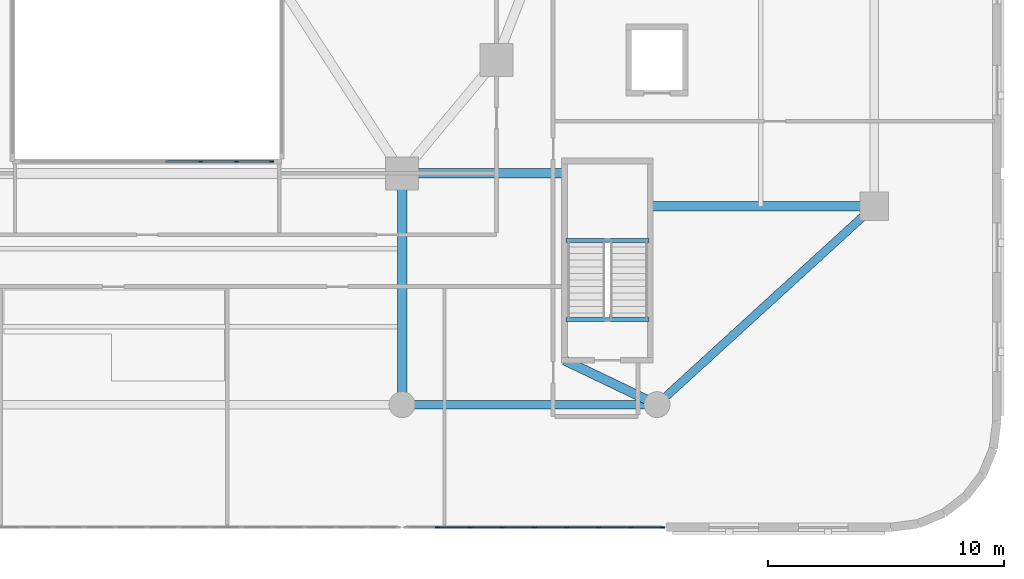
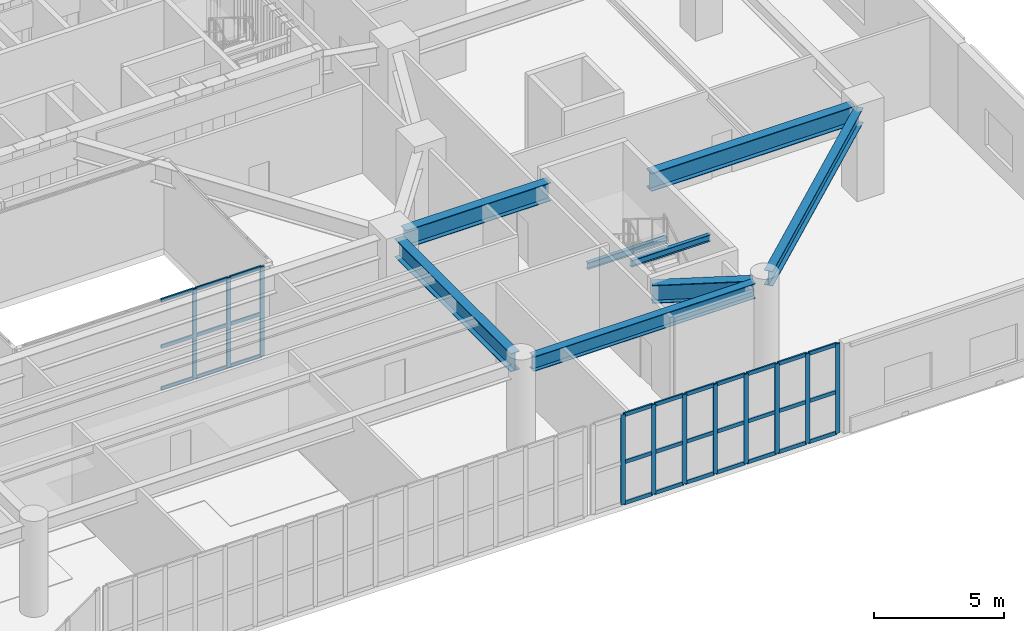
# One storey, part 6 of 25: 41 members, 8 beams, 2 elements without a shape of their own.
"""IFC4 building model written with IfcOpenShell, lengths in metres."""

from ifc_helpers import new_model, si_unit, direction, frame, origin, origin_2d, place, context, subcontext, project, spatial, rectangle, i_section, extrude, material, material_profile, profile_set, type_object, element, aggregate, save


model = new_model("IFC4")

# Units and contexts
model_context = context("Model", 3, precision=1e-05, world=origin(), true_north=direction((0.0, 1.0)))
body_context = subcontext(model_context, "Body", "Model", "MODEL_VIEW")
ifc_project = project(units=[si_unit("LENGTHUNIT", "METRE"), si_unit("AREAUNIT", "SQUARE_METRE"), si_unit("VOLUMEUNIT", "CUBIC_METRE"), si_unit("PLANEANGLEUNIT", "RADIAN"), si_unit("MASSUNIT", "GRAM", prefix="KILO")], contexts=[model_context])

# Site, building, storey
site_placement = place(None, origin())
site = spatial("IfcSite", under=ifc_project, at=site_placement, CompositionType="ELEMENT")
building_placement = place(site_placement, origin())
building = spatial("IfcBuilding", under=site, at=building_placement, Name="Haldorwick Loom Tower", CompositionType="ELEMENT")
storey_placement = place(building_placement, frame((0.0, 0.0, 15.0)))
storey = spatial("IfcBuildingStorey", under=building, at=storey_placement, Name="L03", CompositionType="ELEMENT", Elevation=15.0)

# Curtain wall, members
ifc_material_1 = material(Name="Thermally Broken Anodized Aluminium Curtain Wall Framing", Category="aluminium")
curtain_wall_type_1 = type_object("IfcCurtainWallType", Name="ARC-CW-02", PredefinedType="NOTDEFINED", material=ifc_material_1)
curtain_wall_1_placement = place(storey_placement, origin())
curtain_wall_1 = element("IfcCurtainWall", 1, at=curtain_wall_1_placement, inside=storey, type_object=curtain_wall_type_1, Name="L03 Facade Curtain Wall CW-02 Bay 41", PredefinedType="NOTDEFINED")
ifc_material_profile_1 = material_profile(ifc_material_1, rectangle(XDim=0.070068359375, YDim=0.195068359375, at=origin_2d()), Name="ALU_MUL_70X195", Category="aluminium")
ifc_profile_set_1 = profile_set([ifc_material_profile_1], Name="Thermally Broken Anodized Aluminium Curtain Wall Framing")
member_type_1 = type_object("IfcMemberType", Name="ARC-CWM-02", PredefinedType="MULLION", material=ifc_profile_set_1)
member_1_placement = place(storey_placement, frame((48.304931640625, 0.0, 0.0), z_axis=(0.0, 0.0, 1.0), x_axis=(0.0, 1.0, 0.0)))
member_1 = element("IfcMember", 2, at=member_1_placement, type_object=member_type_1, Name="CW-02 mullion 2", PredefinedType="MULLION", context=body_context, shape_type="SweptSolid", body=[
    extrude(rectangle(XDim=0.070068359375, YDim=0.195068359375, at=origin_2d()), origin(), (0.0, 0.0, 1.0), 4.199951171875),
])
member_2_placement = place(storey_placement, frame((49.669921875, 0.0, 0.0), z_axis=(0.0, 0.0, 1.0), x_axis=(0.0, 1.0, 0.0)))
member_2 = element("IfcMember", 3, at=member_2_placement, type_object=member_type_1, Name="CW-02 mullion 3", PredefinedType="MULLION", context=body_context, shape_type="SweptSolid", body=[
    extrude(rectangle(XDim=0.070068359375, YDim=0.195068359375, at=origin_2d()), origin(), (0.0, 0.0, 1.0), 4.199951171875),
])
member_3_placement = place(storey_placement, frame((51.034912109375, 0.0, 0.0), z_axis=(0.0, 0.0, 1.0), x_axis=(0.0, 1.0, 0.0)))
member_3 = element("IfcMember", 4, at=member_3_placement, type_object=member_type_1, Name="CW-02 mullion 4", PredefinedType="MULLION", context=body_context, shape_type="SweptSolid", body=[
    extrude(rectangle(XDim=0.070068359375, YDim=0.195068359375, at=origin_2d()), origin(), (0.0, 0.0, 1.0), 4.199951171875),
])
member_4_placement = place(storey_placement, frame((52.39990234375, 0.0, 0.0), z_axis=(0.0, 0.0, 1.0), x_axis=(0.0, 1.0, 0.0)))
member_4 = element("IfcMember", 5, at=member_4_placement, type_object=member_type_1, Name="CW-02 mullion 5", PredefinedType="MULLION", context=body_context, shape_type="SweptSolid", body=[
    extrude(rectangle(XDim=0.070068359375, YDim=0.195068359375, at=origin_2d()), origin(), (0.0, 0.0, 1.0), 4.199951171875),
])
member_5_placement = place(storey_placement, frame((53.764892578125, 0.0, 0.0), z_axis=(0.0, 0.0, 1.0), x_axis=(0.0, 1.0, 0.0)))
member_5 = element("IfcMember", 6, at=member_5_placement, type_object=member_type_1, Name="CW-02 mullion 6", PredefinedType="MULLION", context=body_context, shape_type="SweptSolid", body=[
    extrude(rectangle(XDim=0.070068359375, YDim=0.195068359375, at=origin_2d()), origin(), (0.0, 0.0, 1.0), 4.199951171875),
])
member_6_placement = place(storey_placement, frame((55.1298828125, 0.0, 0.0), z_axis=(0.0, 0.0, 1.0), x_axis=(0.0, 1.0, 0.0)))
member_6 = element("IfcMember", 7, at=member_6_placement, type_object=member_type_1, Name="CW-02 mullion 7", PredefinedType="MULLION", context=body_context, shape_type="SweptSolid", body=[
    extrude(rectangle(XDim=0.070068359375, YDim=0.195068359375, at=origin_2d()), origin(), (0.0, 0.0, 1.0), 4.199951171875),
])
member_7_placement = place(storey_placement, frame((56.4951171875, 0.0, 0.0), z_axis=(0.0, 0.0, 1.0), x_axis=(0.0, 1.0, 0.0)))
member_7 = element("IfcMember", 8, at=member_7_placement, type_object=member_type_1, Name="CW-02 mullion 8", PredefinedType="MULLION", context=body_context, shape_type="SweptSolid", body=[
    extrude(rectangle(XDim=0.070068359375, YDim=0.195068359375, at=origin_2d()), origin(), (0.0, 0.0, 1.0), 4.199951171875),
])
member_8_placement = place(storey_placement, frame((57.824951171875, 0.0, 0.0), z_axis=(0.0, 0.0, 1.0), x_axis=(0.0, 1.0, 0.0)))
member_8 = element("IfcMember", 9, at=member_8_placement, type_object=member_type_1, Name="CW-02 mullion 9", PredefinedType="MULLION", context=body_context, shape_type="SweptSolid", body=[
    extrude(rectangle(XDim=0.070068359375, YDim=0.195068359375, at=origin_2d()), origin(), (0.0, 0.0, 1.0), 4.199951171875),
])

curtain_wall_type_2 = type_object("IfcCurtainWallType", Name="ARC-CW-03", PredefinedType="NOTDEFINED", material=ifc_material_1)
curtain_wall_2_placement = place(storey_placement, origin())
curtain_wall_2 = element("IfcCurtainWall", 10, at=curtain_wall_2_placement, inside=storey, type_object=curtain_wall_type_2, Name="L03 Atrium Glazed Screen S", PredefinedType="NOTDEFINED")
ifc_material_profile_2 = material_profile(ifc_material_1, rectangle(XDim=0.06591796875, YDim=0.18505859375, at=origin_2d()), Name="ALU_MUL_66X185", Category="aluminium")
ifc_profile_set_2 = profile_set([ifc_material_profile_2], Name="Thermally Broken Anodized Aluminium Curtain Wall Framing")
member_type_2 = type_object("IfcMemberType", Name="ARC-CWM-03", PredefinedType="MULLION", material=ifc_profile_set_2)
member_9_placement = place(storey_placement, frame((41.26708984375, 15.5, 0.0), z_axis=(0.0, 0.0, 1.0), x_axis=(0.0, -1.0, 0.0)))
member_9 = element("IfcMember", 11, at=member_9_placement, type_object=member_type_2, Name="CW-03 mullion 1", PredefinedType="MULLION", context=body_context, shape_type="SweptSolid", body=[
    extrude(rectangle(XDim=0.06591796875, YDim=0.18505859375, at=origin_2d()), origin(), (0.0, 0.0, 1.0), 4.199951171875),
])
member_10_placement = place(storey_placement, frame((39.78564453125, 15.5, 0.0), z_axis=(0.0, 0.0, 1.0), x_axis=(0.0, -1.0, 0.0)))
member_10 = element("IfcMember", 12, at=member_10_placement, type_object=member_type_2, Name="CW-03 mullion 2", PredefinedType="MULLION", context=body_context, shape_type="SweptSolid", body=[
    extrude(rectangle(XDim=0.06591796875, YDim=0.18505859375, at=origin_2d()), origin(), (0.0, 0.0, 1.0), 4.199951171875),
])
member_11_placement = place(storey_placement, frame((38.271484375, 15.5, 0.0), z_axis=(0.0, 0.0, 1.0), x_axis=(0.0, -1.0, 0.0)))
member_11 = element("IfcMember", 13, at=member_11_placement, type_object=member_type_2, Name="CW-03 mullion 3", PredefinedType="MULLION", context=body_context, shape_type="SweptSolid", body=[
    extrude(rectangle(XDim=0.06591796875, YDim=0.18505859375, at=origin_2d()), origin(), (0.0, 0.0, 1.0), 4.199951171875),
])

# Member
ifc_material_profile_3 = material_profile(ifc_material_1, rectangle(XDim=0.070068359375, YDim=0.175048828125, at=origin_2d()), Name="ALU_TRN_70X175", Category="aluminium")
ifc_profile_set_3 = profile_set([ifc_material_profile_3], Name="Thermally Broken Anodized Aluminium Curtain Wall Framing")
member_type_3 = type_object("IfcMemberType", Name="ARC-CWT-02", PredefinedType="USERDEFINED", material=ifc_profile_set_3)
member_12_placement = place(storey_placement, frame((48.340087890625, 0.0, 0.034912109375), z_axis=(1.0, 0.0, 0.0), x_axis=(0.0, 1.0, 0.0)))
member_12 = element("IfcMember", 14, at=member_12_placement, type_object=member_type_3, Name="CW-02 transom 2.1", ObjectType="TRANSOM", PredefinedType="USERDEFINED", context=body_context, shape_type="SweptSolid", body=[
    extrude(rectangle(XDim=0.070068359375, YDim=0.175048828125, at=origin_2d()), origin(), (0.0, 0.0, 1.0), 1.294921875),
])

member_13_placement = place(storey_placement, frame((48.340087890625, 0.0, 1.949951171875), z_axis=(1.0, 0.0, 0.0), x_axis=(0.0, 1.0, 0.0)))
member_13 = element("IfcMember", 15, at=member_13_placement, type_object=member_type_3, Name="CW-02 transom 2.2", ObjectType="TRANSOM", PredefinedType="USERDEFINED", context=body_context, shape_type="SweptSolid", body=[
    extrude(rectangle(XDim=0.070068359375, YDim=0.175048828125, at=origin_2d()), origin(), (0.0, 0.0, 1.0), 1.294921875),
])

member_14_placement = place(storey_placement, frame((48.340087890625, 0.0, 4.1650390625), z_axis=(1.0, 0.0, 0.0), x_axis=(0.0, 1.0, 0.0)))
member_14 = element("IfcMember", 16, at=member_14_placement, type_object=member_type_3, Name="CW-02 transom 2.3", ObjectType="TRANSOM", PredefinedType="USERDEFINED", context=body_context, shape_type="SweptSolid", body=[
    extrude(rectangle(XDim=0.070068359375, YDim=0.175048828125, at=origin_2d()), origin(), (0.0, 0.0, 1.0), 1.294921875),
])

member_15_placement = place(storey_placement, frame((49.705078125, 0.0, 0.034912109375), z_axis=(1.0, 0.0, 0.0), x_axis=(0.0, 1.0, 0.0)))
member_15 = element("IfcMember", 17, at=member_15_placement, type_object=member_type_3, Name="CW-02 transom 3.1", ObjectType="TRANSOM", PredefinedType="USERDEFINED", context=body_context, shape_type="SweptSolid", body=[
    extrude(rectangle(XDim=0.070068359375, YDim=0.175048828125, at=origin_2d()), origin(), (0.0, 0.0, 1.0), 1.294921875),
])

member_16_placement = place(storey_placement, frame((49.705078125, 0.0, 1.949951171875), z_axis=(1.0, 0.0, 0.0), x_axis=(0.0, 1.0, 0.0)))
member_16 = element("IfcMember", 18, at=member_16_placement, type_object=member_type_3, Name="CW-02 transom 3.2", ObjectType="TRANSOM", PredefinedType="USERDEFINED", context=body_context, shape_type="SweptSolid", body=[
    extrude(rectangle(XDim=0.070068359375, YDim=0.175048828125, at=origin_2d()), origin(), (0.0, 0.0, 1.0), 1.294921875),
])

member_17_placement = place(storey_placement, frame((49.705078125, 0.0, 4.1650390625), z_axis=(1.0, 0.0, 0.0), x_axis=(0.0, 1.0, 0.0)))
member_17 = element("IfcMember", 19, at=member_17_placement, type_object=member_type_3, Name="CW-02 transom 3.3", ObjectType="TRANSOM", PredefinedType="USERDEFINED", context=body_context, shape_type="SweptSolid", body=[
    extrude(rectangle(XDim=0.070068359375, YDim=0.175048828125, at=origin_2d()), origin(), (0.0, 0.0, 1.0), 1.294921875),
])

member_18_placement = place(storey_placement, frame((51.070068359375, 0.0, 0.034912109375), z_axis=(1.0, 0.0, 0.0), x_axis=(0.0, 1.0, 0.0)))
member_18 = element("IfcMember", 20, at=member_18_placement, type_object=member_type_3, Name="CW-02 transom 4.1", ObjectType="TRANSOM", PredefinedType="USERDEFINED", context=body_context, shape_type="SweptSolid", body=[
    extrude(rectangle(XDim=0.070068359375, YDim=0.175048828125, at=origin_2d()), origin(), (0.0, 0.0, 1.0), 1.294921875),
])

member_19_placement = place(storey_placement, frame((51.070068359375, 0.0, 1.949951171875), z_axis=(1.0, 0.0, 0.0), x_axis=(0.0, 1.0, 0.0)))
member_19 = element("IfcMember", 21, at=member_19_placement, type_object=member_type_3, Name="CW-02 transom 4.2", ObjectType="TRANSOM", PredefinedType="USERDEFINED", context=body_context, shape_type="SweptSolid", body=[
    extrude(rectangle(XDim=0.070068359375, YDim=0.175048828125, at=origin_2d()), origin(), (0.0, 0.0, 1.0), 1.294921875),
])

member_20_placement = place(storey_placement, frame((51.070068359375, 0.0, 4.1650390625), z_axis=(1.0, 0.0, 0.0), x_axis=(0.0, 1.0, 0.0)))
member_20 = element("IfcMember", 22, at=member_20_placement, type_object=member_type_3, Name="CW-02 transom 4.3", ObjectType="TRANSOM", PredefinedType="USERDEFINED", context=body_context, shape_type="SweptSolid", body=[
    extrude(rectangle(XDim=0.070068359375, YDim=0.175048828125, at=origin_2d()), origin(), (0.0, 0.0, 1.0), 1.294921875),
])

member_21_placement = place(storey_placement, frame((52.43505859375, 0.0, 0.034912109375), z_axis=(1.0, 0.0, 0.0), x_axis=(0.0, 1.0, 0.0)))
member_21 = element("IfcMember", 23, at=member_21_placement, type_object=member_type_3, Name="CW-02 transom 5.1", ObjectType="TRANSOM", PredefinedType="USERDEFINED", context=body_context, shape_type="SweptSolid", body=[
    extrude(rectangle(XDim=0.070068359375, YDim=0.175048828125, at=origin_2d()), origin(), (0.0, 0.0, 1.0), 1.294921875),
])

member_22_placement = place(storey_placement, frame((52.43505859375, 0.0, 1.949951171875), z_axis=(1.0, 0.0, 0.0), x_axis=(0.0, 1.0, 0.0)))
member_22 = element("IfcMember", 24, at=member_22_placement, type_object=member_type_3, Name="CW-02 transom 5.2", ObjectType="TRANSOM", PredefinedType="USERDEFINED", context=body_context, shape_type="SweptSolid", body=[
    extrude(rectangle(XDim=0.070068359375, YDim=0.175048828125, at=origin_2d()), origin(), (0.0, 0.0, 1.0), 1.294921875),
])

member_23_placement = place(storey_placement, frame((52.43505859375, 0.0, 4.1650390625), z_axis=(1.0, 0.0, 0.0), x_axis=(0.0, 1.0, 0.0)))
member_23 = element("IfcMember", 25, at=member_23_placement, type_object=member_type_3, Name="CW-02 transom 5.3", ObjectType="TRANSOM", PredefinedType="USERDEFINED", context=body_context, shape_type="SweptSolid", body=[
    extrude(rectangle(XDim=0.070068359375, YDim=0.175048828125, at=origin_2d()), origin(), (0.0, 0.0, 1.0), 1.294921875),
])

member_24_placement = place(storey_placement, frame((53.800048828125, 0.0, 0.034912109375), z_axis=(1.0, 0.0, 0.0), x_axis=(0.0, 1.0, 0.0)))
member_24 = element("IfcMember", 26, at=member_24_placement, type_object=member_type_3, Name="CW-02 transom 6.1", ObjectType="TRANSOM", PredefinedType="USERDEFINED", context=body_context, shape_type="SweptSolid", body=[
    extrude(rectangle(XDim=0.070068359375, YDim=0.175048828125, at=origin_2d()), origin(), (0.0, 0.0, 1.0), 1.294921875),
])

member_25_placement = place(storey_placement, frame((53.800048828125, 0.0, 1.949951171875), z_axis=(1.0, 0.0, 0.0), x_axis=(0.0, 1.0, 0.0)))
member_25 = element("IfcMember", 27, at=member_25_placement, type_object=member_type_3, Name="CW-02 transom 6.2", ObjectType="TRANSOM", PredefinedType="USERDEFINED", context=body_context, shape_type="SweptSolid", body=[
    extrude(rectangle(XDim=0.070068359375, YDim=0.175048828125, at=origin_2d()), origin(), (0.0, 0.0, 1.0), 1.294921875),
])

member_26_placement = place(storey_placement, frame((53.800048828125, 0.0, 4.1650390625), z_axis=(1.0, 0.0, 0.0), x_axis=(0.0, 1.0, 0.0)))
member_26 = element("IfcMember", 28, at=member_26_placement, type_object=member_type_3, Name="CW-02 transom 6.3", ObjectType="TRANSOM", PredefinedType="USERDEFINED", context=body_context, shape_type="SweptSolid", body=[
    extrude(rectangle(XDim=0.070068359375, YDim=0.175048828125, at=origin_2d()), origin(), (0.0, 0.0, 1.0), 1.294921875),
])

member_27_placement = place(storey_placement, frame((55.1650390625, 0.0, 0.034912109375), z_axis=(1.0, 0.0, 0.0), x_axis=(0.0, 1.0, 0.0)))
member_27 = element("IfcMember", 29, at=member_27_placement, type_object=member_type_3, Name="CW-02 transom 7.1", ObjectType="TRANSOM", PredefinedType="USERDEFINED", context=body_context, shape_type="SweptSolid", body=[
    extrude(rectangle(XDim=0.070068359375, YDim=0.175048828125, at=origin_2d()), origin(), (0.0, 0.0, 1.0), 1.294921875),
])

member_28_placement = place(storey_placement, frame((55.1650390625, 0.0, 1.949951171875), z_axis=(1.0, 0.0, 0.0), x_axis=(0.0, 1.0, 0.0)))
member_28 = element("IfcMember", 30, at=member_28_placement, type_object=member_type_3, Name="CW-02 transom 7.2", ObjectType="TRANSOM", PredefinedType="USERDEFINED", context=body_context, shape_type="SweptSolid", body=[
    extrude(rectangle(XDim=0.070068359375, YDim=0.175048828125, at=origin_2d()), origin(), (0.0, 0.0, 1.0), 1.294921875),
])

member_29_placement = place(storey_placement, frame((55.1650390625, 0.0, 4.1650390625), z_axis=(1.0, 0.0, 0.0), x_axis=(0.0, 1.0, 0.0)))
member_29 = element("IfcMember", 31, at=member_29_placement, type_object=member_type_3, Name="CW-02 transom 7.3", ObjectType="TRANSOM", PredefinedType="USERDEFINED", context=body_context, shape_type="SweptSolid", body=[
    extrude(rectangle(XDim=0.070068359375, YDim=0.175048828125, at=origin_2d()), origin(), (0.0, 0.0, 1.0), 1.294921875),
])

member_30_placement = place(storey_placement, frame((56.530029296875, 0.0, 0.034912109375), z_axis=(1.0, 0.0, 0.0), x_axis=(0.0, 1.0, 0.0)))
member_30 = element("IfcMember", 32, at=member_30_placement, type_object=member_type_3, Name="CW-02 transom 8.1", ObjectType="TRANSOM", PredefinedType="USERDEFINED", context=body_context, shape_type="SweptSolid", body=[
    extrude(rectangle(XDim=0.070068359375, YDim=0.175048828125, at=origin_2d()), origin(), (0.0, 0.0, 1.0), 1.260009765625),
])

member_31_placement = place(storey_placement, frame((56.530029296875, 0.0, 1.949951171875), z_axis=(1.0, 0.0, 0.0), x_axis=(0.0, 1.0, 0.0)))
member_31 = element("IfcMember", 33, at=member_31_placement, type_object=member_type_3, Name="CW-02 transom 8.2", ObjectType="TRANSOM", PredefinedType="USERDEFINED", context=body_context, shape_type="SweptSolid", body=[
    extrude(rectangle(XDim=0.070068359375, YDim=0.175048828125, at=origin_2d()), origin(), (0.0, 0.0, 1.0), 1.260009765625),
])

member_32_placement = place(storey_placement, frame((56.530029296875, 0.0, 4.1650390625), z_axis=(1.0, 0.0, 0.0), x_axis=(0.0, 1.0, 0.0)))
member_32 = element("IfcMember", 34, at=member_32_placement, type_object=member_type_3, Name="CW-02 transom 8.3", ObjectType="TRANSOM", PredefinedType="USERDEFINED", context=body_context, shape_type="SweptSolid", body=[
    extrude(rectangle(XDim=0.070068359375, YDim=0.175048828125, at=origin_2d()), origin(), (0.0, 0.0, 1.0), 1.260009765625),
])

aggregate(curtain_wall_1, [member_1, member_2, member_3, member_4, member_5, member_6, member_7, member_8, member_12, member_13, member_14, member_15, member_16, member_17, member_18, member_19, member_20, member_21, member_22, member_23, member_24, member_25, member_26, member_27, member_28, member_29, member_30, member_31, member_32])

ifc_material_profile_4 = material_profile(ifc_material_1, rectangle(XDim=0.06591796875, YDim=0.1650390625, at=origin_2d()), Name="ALU_TRN_66X165", Category="aluminium")
ifc_profile_set_4 = profile_set([ifc_material_profile_4], Name="Thermally Broken Anodized Aluminium Curtain Wall Framing")
member_type_4 = type_object("IfcMemberType", Name="ARC-CWT-03", PredefinedType="USERDEFINED", material=ifc_profile_set_4)
member_33_placement = place(storey_placement, frame((41.23388671875, 15.5, 0.032958984375), z_axis=(-1.0, 0.0, 0.0), x_axis=(0.0, -1.0, 0.0)))
member_33 = element("IfcMember", 35, at=member_33_placement, type_object=member_type_4, Name="CW-03 transom 1.1", ObjectType="TRANSOM", PredefinedType="USERDEFINED", context=body_context, shape_type="SweptSolid", body=[
    extrude(rectangle(XDim=0.06591796875, YDim=0.1650390625, at=origin_2d()), origin(), (0.0, 0.0, 1.0), 1.415283203125),
])

member_34_placement = place(storey_placement, frame((41.23388671875, 15.5, 2.0), z_axis=(-1.0, 0.0, 0.0), x_axis=(0.0, -1.0, 0.0)))
member_34 = element("IfcMember", 36, at=member_34_placement, type_object=member_type_4, Name="CW-03 transom 1.2", ObjectType="TRANSOM", PredefinedType="USERDEFINED", context=body_context, shape_type="SweptSolid", body=[
    extrude(rectangle(XDim=0.06591796875, YDim=0.1650390625, at=origin_2d()), origin(), (0.0, 0.0, 1.0), 1.415283203125),
])

member_35_placement = place(storey_placement, frame((41.23388671875, 15.5, 4.1669921875), z_axis=(-1.0, 0.0, 0.0), x_axis=(0.0, -1.0, 0.0)))
member_35 = element("IfcMember", 37, at=member_35_placement, type_object=member_type_4, Name="CW-03 transom 1.3", ObjectType="TRANSOM", PredefinedType="USERDEFINED", context=body_context, shape_type="SweptSolid", body=[
    extrude(rectangle(XDim=0.06591796875, YDim=0.1650390625, at=origin_2d()), origin(), (0.0, 0.0, 1.0), 1.415283203125),
])

member_36_placement = place(storey_placement, frame((39.752685546875, 15.5, 0.032958984375), z_axis=(-1.0, 0.0, 0.0), x_axis=(0.0, -1.0, 0.0)))
member_36 = element("IfcMember", 38, at=member_36_placement, type_object=member_type_4, Name="CW-03 transom 2.1", ObjectType="TRANSOM", PredefinedType="USERDEFINED", context=body_context, shape_type="SweptSolid", body=[
    extrude(rectangle(XDim=0.06591796875, YDim=0.1650390625, at=origin_2d()), origin(), (0.0, 0.0, 1.0), 1.4482421875),
])

member_37_placement = place(storey_placement, frame((39.752685546875, 15.5, 2.0), z_axis=(-1.0, 0.0, 0.0), x_axis=(0.0, -1.0, 0.0)))
member_37 = element("IfcMember", 39, at=member_37_placement, type_object=member_type_4, Name="CW-03 transom 2.2", ObjectType="TRANSOM", PredefinedType="USERDEFINED", context=body_context, shape_type="SweptSolid", body=[
    extrude(rectangle(XDim=0.06591796875, YDim=0.1650390625, at=origin_2d()), origin(), (0.0, 0.0, 1.0), 1.4482421875),
])

member_38_placement = place(storey_placement, frame((39.752685546875, 15.5, 4.1669921875), z_axis=(-1.0, 0.0, 0.0), x_axis=(0.0, -1.0, 0.0)))
member_38 = element("IfcMember", 40, at=member_38_placement, type_object=member_type_4, Name="CW-03 transom 2.3", ObjectType="TRANSOM", PredefinedType="USERDEFINED", context=body_context, shape_type="SweptSolid", body=[
    extrude(rectangle(XDim=0.06591796875, YDim=0.1650390625, at=origin_2d()), origin(), (0.0, 0.0, 1.0), 1.4482421875),
])

member_39_placement = place(storey_placement, frame((38.238525390625, 15.5, 0.032958984375), z_axis=(-1.0, 0.0, 0.0), x_axis=(0.0, -1.0, 0.0)))
member_39 = element("IfcMember", 41, at=member_39_placement, type_object=member_type_4, Name="CW-03 transom 3.1", ObjectType="TRANSOM", PredefinedType="USERDEFINED", context=body_context, shape_type="SweptSolid", body=[
    extrude(rectangle(XDim=0.06591796875, YDim=0.1650390625, at=origin_2d()), origin(), (0.0, 0.0, 1.0), 1.448486328125),
])

member_40_placement = place(storey_placement, frame((38.238525390625, 15.5, 2.0), z_axis=(-1.0, 0.0, 0.0), x_axis=(0.0, -1.0, 0.0)))
member_40 = element("IfcMember", 42, at=member_40_placement, type_object=member_type_4, Name="CW-03 transom 3.2", ObjectType="TRANSOM", PredefinedType="USERDEFINED", context=body_context, shape_type="SweptSolid", body=[
    extrude(rectangle(XDim=0.06591796875, YDim=0.1650390625, at=origin_2d()), origin(), (0.0, 0.0, 1.0), 1.448486328125),
])

member_41_placement = place(storey_placement, frame((38.238525390625, 15.5, 4.1669921875), z_axis=(-1.0, 0.0, 0.0), x_axis=(0.0, -1.0, 0.0)))
member_41 = element("IfcMember", 43, at=member_41_placement, type_object=member_type_4, Name="CW-03 transom 3.3", ObjectType="TRANSOM", PredefinedType="USERDEFINED", context=body_context, shape_type="SweptSolid", body=[
    extrude(rectangle(XDim=0.06591796875, YDim=0.1650390625, at=origin_2d()), origin(), (0.0, 0.0, 1.0), 1.448486328125),
])

aggregate(curtain_wall_2, [member_9, member_10, member_11, member_33, member_34, member_35, member_36, member_37, member_38, member_39, member_40, member_41])

# Beams
ifc_material_2 = material(Name="Steel CSA G40.21 350W", Category="steel")
ifc_material_profile_5 = material_profile(ifc_material_2, i_section(OverallWidth=0.35498046875, OverallDepth=0.695068359375, WebThickness=0.015380859375, FlangeThickness=0.02490234375, at=origin_2d()), Name="W690X217", Category="steel")
ifc_profile_set_5 = profile_set([ifc_material_profile_5], Name="Steel CSA G40.21 350W")
beam_type_1 = type_object("IfcBeamType", Name="STR-BM-SP690", PredefinedType="SPANDREL", material=ifc_profile_set_5)
beam_1_placement = place(storey_placement, frame((47.280029296875, 5.199951171875, 3.8525390625), z_axis=(1.0, 0.0, 0.0), x_axis=(0.0, 1.0, 0.0)))
element("IfcBeam", 44, at=beam_1_placement, inside=storey, type_object=beam_type_1, Name="L03 Podium Spandrel PSP-S4", PredefinedType="SPANDREL", context=body_context, shape_type="SweptSolid", body=[
    extrude(i_section(OverallWidth=0.35498046875, OverallDepth=0.695068359375, WebThickness=0.015380859375, FlangeThickness=0.02490234375, at=origin_2d()), origin(), (0.0, 0.0, 1.0), 9.840087890625),
])
beam_2_placement = place(storey_placement, frame((57.95458984375, 5.523681640625, 3.8525390625), z_axis=(0.738482735745, 0.674272384876, 0.0), x_axis=(-0.674272384876, 0.738482735745, 0.0)))
element("IfcBeam", 45, at=beam_2_placement, inside=storey, type_object=beam_type_1, Name="L03 Podium Spandrel PSP-S5", PredefinedType="SPANDREL", context=body_context, shape_type="SweptSolid", body=[
    extrude(i_section(OverallWidth=0.35498046875, OverallDepth=0.695068359375, WebThickness=0.015380859375, FlangeThickness=0.02490234375, at=origin_2d()), origin(), (0.0, 0.0, 1.0), 11.497802734375),
])
ifc_material_profile_6 = material_profile(ifc_material_2, i_section(OverallWidth=0.166015625, OverallDepth=0.31298828125, WebThickness=0.006591796875, FlangeThickness=0.01123046875, at=origin_2d()), Name="W310X45", Category="steel")
ifc_profile_set_6 = profile_set([ifc_material_profile_6], Name="Steel CSA G40.21 350W")
beam_type_2 = type_object("IfcBeamType", Name="STR-BM-STRM", PredefinedType="BEAM", material=ifc_profile_set_6)
for number, where, z_axis, x_axis, name in (
    (46, (53.739990234375, 8.800048828125, 4.04345703125), (1.0, 0.0, 0.0), (0.0, 1.0, 0.0), "L03 Stair ST-P2 Landing Edge Trimmer"),
    (47, (53.739990234375, 12.159912109375, 1.8935546875), (1.0, 0.0, 0.0), (0.0, 1.0, 0.0), "L03 Stair ST-P2 Half-Landing Trimmer 1"),
):
    element("IfcBeam", number, at=place(storey_placement, frame(where, z_axis=z_axis, x_axis=x_axis)), inside=storey, type_object=beam_type_2, Name=name, PredefinedType="BEAM", context=body_context, shape_type="SweptSolid", body=[
        extrude(i_section(OverallWidth=0.166015625, OverallDepth=0.31298828125, WebThickness=0.006591796875, FlangeThickness=0.01123046875, at=origin_2d()), origin(), (0.0, 0.0, 1.0), 3.52001953125),
    ])
ifc_material_profile_7 = material_profile(ifc_material_2, i_section(OverallWidth=0.39990234375, OverallDepth=0.85498046875, WebThickness=0.018310546875, FlangeThickness=0.029296875, at=origin_2d()), Name="W840X299", Category="steel")
ifc_profile_set_7 = profile_set([ifc_material_profile_7], Name="Steel CSA G40.21 350W")
beam_type_3 = type_object("IfcBeamType", Name="STR-BM-W840", PredefinedType="BEAM", material=ifc_profile_set_7)
beam_3_placement = place(storey_placement, frame((46.800048828125, 5.64990234375, 3.7724609375), z_axis=(0.0, 1.0, 0.0), x_axis=(-1.0, 0.0, 0.0)))
element("IfcBeam", 48, at=beam_3_placement, inside=storey, type_object=beam_type_3, Name="L03 Podium Primary Girder PG-02", PredefinedType="BEAM", context=body_context, shape_type="SweptSolid", body=[
    extrude(i_section(OverallWidth=0.39990234375, OverallDepth=0.85498046875, WebThickness=0.018310546875, FlangeThickness=0.029296875, at=origin_2d()), origin(), (0.0, 0.0, 1.0), 8.900146484375),
])
beam_4_placement = place(storey_placement, frame((66.35009765625, 13.60009765625, 3.7724609375), z_axis=(-1.0, 0.0, 0.0), x_axis=(0.0, -1.0, 0.0)))
element("IfcBeam", 49, at=beam_4_placement, inside=storey, type_object=beam_type_3, Name="L03 Podium Primary Girder PG-07A", PredefinedType="BEAM", context=body_context, shape_type="SweptSolid", body=[
    extrude(i_section(OverallWidth=0.39990234375, OverallDepth=0.85498046875, WebThickness=0.018310546875, FlangeThickness=0.029296875, at=origin_2d()), origin(), (0.0, 0.0, 1.0), 9.030029296875),
])
beam_5_placement = place(storey_placement, frame((53.679931640625, 15.0, 3.7724609375), z_axis=(-1.0, 0.0, 0.0), x_axis=(0.0, -1.0, 0.0)))
element("IfcBeam", 50, at=beam_5_placement, inside=storey, type_object=beam_type_3, Name="L03 Podium Primary Girder PG-07B", PredefinedType="BEAM", context=body_context, shape_type="SweptSolid", body=[
    extrude(i_section(OverallWidth=0.39990234375, OverallDepth=0.85498046875, WebThickness=0.018310546875, FlangeThickness=0.029296875, at=origin_2d()), origin(), (0.0, 0.0, 1.0), 6.429931640625),
])
beam_6_placement = place(storey_placement, frame((57.1943359375, 5.39453125, 3.7724609375), z_axis=(-0.901659852689, 0.432445961998, 0.0), x_axis=(-0.432445961998, -0.901659852689, 0.0)))
element("IfcBeam", 51, at=beam_6_placement, inside=storey, type_object=beam_type_3, Name="L03 Podium Primary Girder PG-17", PredefinedType="BEAM", context=body_context, shape_type="SweptSolid", body=[
    extrude(i_section(OverallWidth=0.39990234375, OverallDepth=0.85498046875, WebThickness=0.018310546875, FlangeThickness=0.029296875, at=origin_2d()), origin(), (0.0, 0.0, 1.0), 3.897705078125),
])

save(model, "model.ifc")
